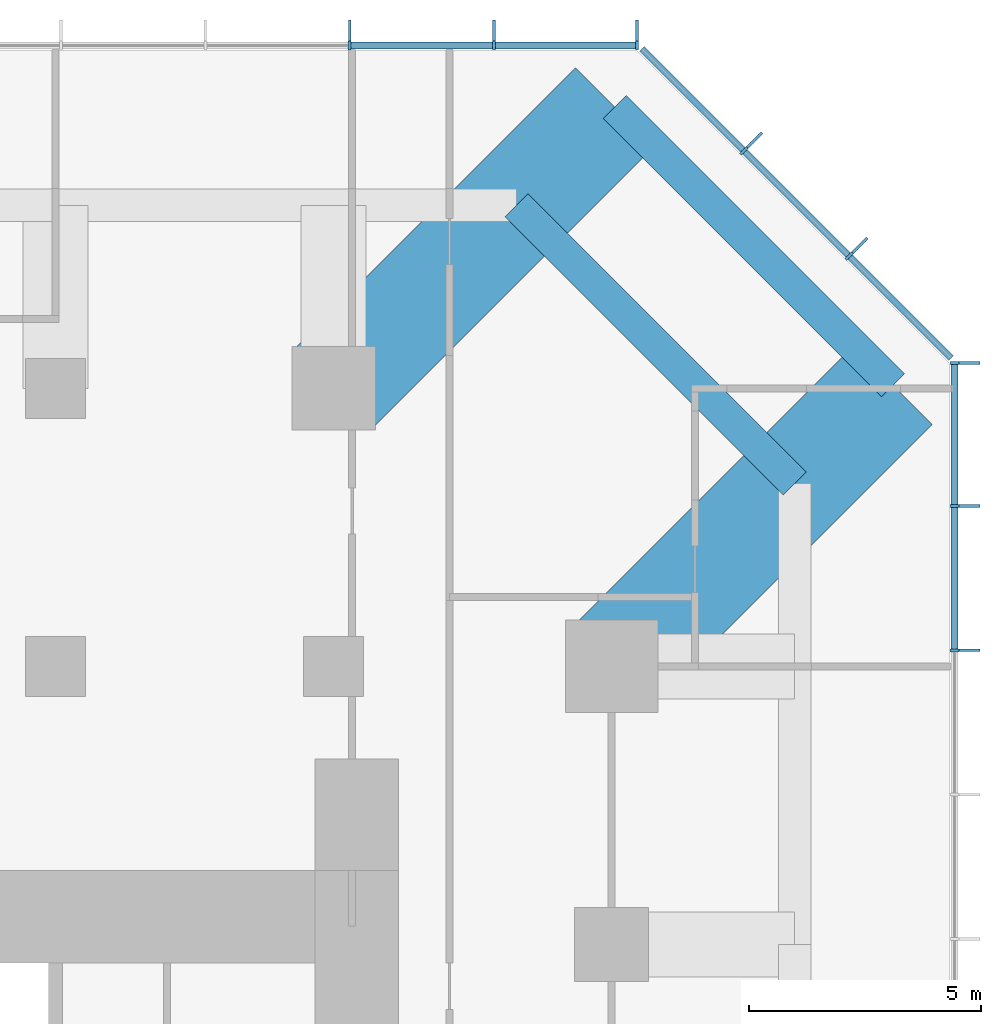
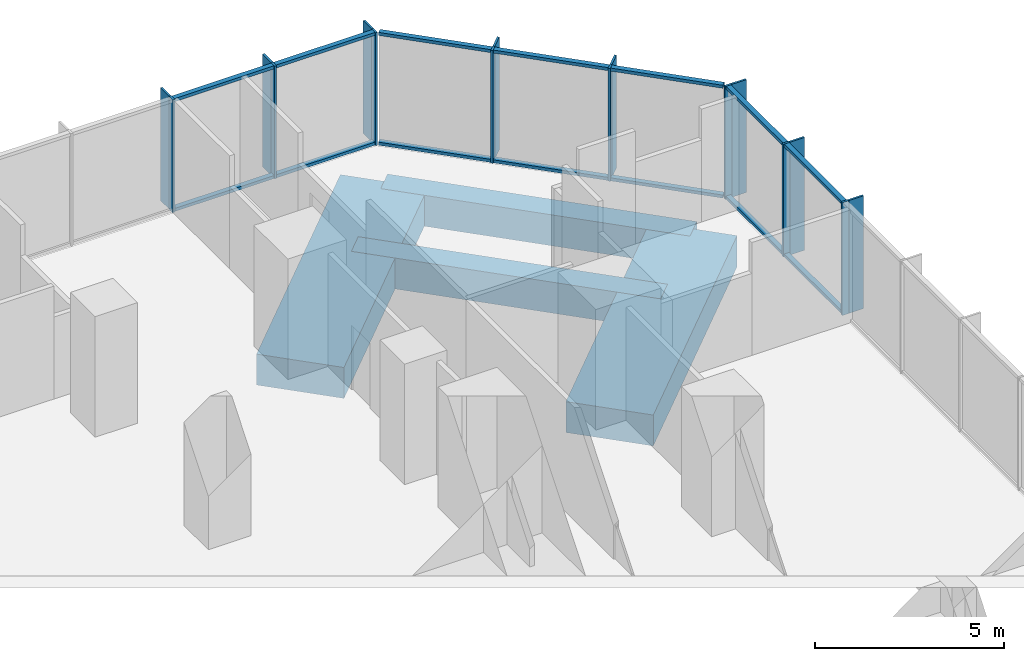
# One storey, part 6 of 11: 30 members, 4 beams, 3 elements without a shape of their own.
"""IFC4 building model written with IfcOpenShell, lengths in metres."""

from ifc_helpers import new_model, si_unit, direction, frame, origin, origin_2d, place, context, subcontext, project, spatial, rectangle, extrude, material, layer, layer_set, material_profile, profile_set, type_object, element, aggregate, save


model = new_model("IFC4")

# Units and contexts
model_context = context("Model", 3, precision=1e-05, world=origin(), true_north=direction((0.0, 1.0)))
body_context = subcontext(model_context, "Body", "Model", "MODEL_VIEW")
ifc_project = project(units=[si_unit("LENGTHUNIT", "METRE"), si_unit("AREAUNIT", "SQUARE_METRE"), si_unit("VOLUMEUNIT", "CUBIC_METRE"), si_unit("PLANEANGLEUNIT", "RADIAN"), si_unit("MASSUNIT", "GRAM", prefix="KILO")], contexts=[model_context])

# Site, building, storey
site_placement = place(None, origin())
site = spatial("IfcSite", under=ifc_project, at=site_placement, CompositionType="ELEMENT")
building_placement = place(site_placement, origin())
building = spatial("IfcBuilding", under=site, at=building_placement, Name="Highveld Stack Headquarters", CompositionType="ELEMENT")
storey_placement = place(building_placement, frame((0.0, 0.0, 185.0)))
storey = spatial("IfcBuildingStorey", under=building, at=storey_placement, Name="L45", CompositionType="ELEMENT", Elevation=185.0)

# Beams
ifc_material_1 = material(Name="Concrete C60/75", Category="concrete")
ifc_material_profile_1 = material_profile(ifc_material_1, rectangle(XDim=2.39990234375, YDim=1.0, at=origin_2d()), Name="RC 2400x1000")
ifc_profile_set_1 = profile_set([ifc_material_profile_1], Name="Concrete C60/75")
beam_type_1 = type_object("IfcBeamType", Name="CANTILEVER RIB RC 2400x1000", PredefinedType="USERDEFINED", material=ifc_profile_set_1)
for number, where, z_axis, x_axis, name in (
    (1, (18.0, 24.0, -0.75), (0.707106781187, 0.707106781187, 0.0), (-0.707106781187, 0.707106781187, 0.0), "Cantilever rib 9/J L45"),
    (2, (24.0, 18.0, -0.75), (0.707106781187, 0.707106781187, 0.0), (-0.707106781187, 0.707106781187, 0.0), "Cantilever rib 10/H L45"),
):
    element("IfcBeam", number, at=place(storey_placement, frame(where, z_axis=z_axis, x_axis=x_axis)), inside=storey, type_object=beam_type_1, Name=name, ObjectType="CANTILEVER RIB", PredefinedType="USERDEFINED", context=body_context, shape_type="SweptSolid", body=[
        extrude(rectangle(XDim=2.39990234375, YDim=1.0, at=origin_2d()), origin(), (0.0, 0.0, 1.0), 8.585693359375),
    ])

# Curtain wall, members
ifc_material_2 = material(Name="Aluminium bronze anodised", Category="aluminium")
ifc_layer_1 = layer(ifc_material_2, 0.199951171875)
ifc_layer_set_1 = layer_set([ifc_layer_1], Name="Aluminium bronze anodised")
curtain_wall_type_1 = type_object("IfcCurtainWallType", Name="CW1 TOWER UNITISED CURTAIN WALL", PredefinedType="NOTDEFINED", material=ifc_layer_set_1)
curtain_wall_1_placement = place(storey_placement, origin())
curtain_wall_1 = element("IfcCurtainWall", 3, at=curtain_wall_1_placement, inside=storey, type_object=curtain_wall_type_1, Name="Curtain wall CW1 L45 E", PredefinedType="NOTDEFINED")
ifc_material_3 = material(Name="Aluminium bronze anodised", Category="aluminium")
ifc_material_profile_2 = material_profile(ifc_material_3, rectangle(XDim=0.449951171875, YDim=0.06005859375, at=origin_2d()), Name="FIN 450x60")
ifc_profile_set_2 = profile_set([ifc_material_profile_2], Name="Aluminium bronze anodised")
member_type_1 = type_object("IfcMemberType", Name="CW1 BRONZE FIN 450x60", PredefinedType="USERDEFINED", material=ifc_profile_set_2)
member_1_placement = place(storey_placement, frame((31.72509765625, 18.347900390625, 0.0), z_axis=(0.0, 0.0, 1.0), x_axis=(-1.0, 0.0, 0.0)))
member_1 = element("IfcMember", 4, at=member_1_placement, type_object=member_type_1, Name="CW1 fin L45 9", ObjectType="FIN", PredefinedType="USERDEFINED", context=body_context, shape_type="SweptSolid", body=[
    extrude(rectangle(XDim=0.449951171875, YDim=0.06005859375, at=origin_2d()), origin(), (0.0, 0.0, 1.0), 3.64990234375),
])
member_2_placement = place(storey_placement, frame((31.72509765625, 21.4638671875, 0.0), z_axis=(0.0, 0.0, 1.0), x_axis=(-1.0, 0.0, 0.0)))
member_2 = element("IfcMember", 5, at=member_2_placement, type_object=member_type_1, Name="CW1 fin L45 10", ObjectType="FIN", PredefinedType="USERDEFINED", context=body_context, shape_type="SweptSolid", body=[
    extrude(rectangle(XDim=0.449951171875, YDim=0.06005859375, at=origin_2d()), origin(), (0.0, 0.0, 1.0), 3.64990234375),
])
member_3_placement = place(storey_placement, frame((31.72509765625, 24.54736328125, 0.0), z_axis=(0.0, 0.0, 1.0), x_axis=(-1.0, 0.0, 0.0)))
member_3 = element("IfcMember", 6, at=member_3_placement, type_object=member_type_1, Name="CW1 fin L45 11", ObjectType="FIN", PredefinedType="USERDEFINED", context=body_context, shape_type="SweptSolid", body=[
    extrude(rectangle(XDim=0.449951171875, YDim=0.06005859375, at=origin_2d()), origin(), (0.0, 0.0, 1.0), 3.64990234375),
])

curtain_wall_2_placement = place(storey_placement, origin())
curtain_wall_2 = element("IfcCurtainWall", 7, at=curtain_wall_2_placement, inside=storey, type_object=curtain_wall_type_1, Name="Curtain wall CW1 L45 N", PredefinedType="NOTDEFINED")
member_4_placement = place(storey_placement, frame((24.54736328125, 31.72509765625, 0.0), z_axis=(0.0, 0.0, 1.0), x_axis=(0.0, -1.0, 0.0)))
member_4 = element("IfcMember", 8, at=member_4_placement, type_object=member_type_1, Name="CW1 fin L45 1", ObjectType="FIN", PredefinedType="USERDEFINED", context=body_context, shape_type="SweptSolid", body=[
    extrude(rectangle(XDim=0.449951171875, YDim=0.06005859375, at=origin_2d()), origin(), (0.0, 0.0, 1.0), 3.64990234375),
])
member_5_placement = place(storey_placement, frame((21.4638671875, 31.72509765625, 0.0), z_axis=(0.0, 0.0, 1.0), x_axis=(0.0, -1.0, 0.0)))
member_5 = element("IfcMember", 9, at=member_5_placement, type_object=member_type_1, Name="CW1 fin L45 2", ObjectType="FIN", PredefinedType="USERDEFINED", context=body_context, shape_type="SweptSolid", body=[
    extrude(rectangle(XDim=0.449951171875, YDim=0.06005859375, at=origin_2d()), origin(), (0.0, 0.0, 1.0), 3.64990234375),
])
member_6_placement = place(storey_placement, frame((18.347900390625, 31.72509765625, 0.0), z_axis=(0.0, 0.0, 1.0), x_axis=(0.0, -1.0, 0.0)))
member_6 = element("IfcMember", 10, at=member_6_placement, type_object=member_type_1, Name="CW1 fin L45 3", ObjectType="FIN", PredefinedType="USERDEFINED", context=body_context, shape_type="SweptSolid", body=[
    extrude(rectangle(XDim=0.449951171875, YDim=0.06005859375, at=origin_2d()), origin(), (0.0, 0.0, 1.0), 3.64990234375),
])

# Member
ifc_material_4 = material(Name="Aluminium bronze anodised", Category="aluminium")
ifc_material_profile_3 = material_profile(ifc_material_4, rectangle(XDim=0.199951171875, YDim=0.06494140625, at=origin_2d()), Name="CW1 MULLION 65x200")
ifc_profile_set_3 = profile_set([ifc_material_profile_3], Name="Aluminium bronze anodised")
member_type_2 = type_object("IfcMemberType", Name="CW1 MULLION 65x200", PredefinedType="MULLION", material=ifc_profile_set_3)
member_7_placement = place(storey_placement, frame((31.39990234375, 18.347900390625, 0.0), z_axis=(0.0, 0.0, 1.0), x_axis=(-1.0, 0.0, 0.0)))
member_7 = element("IfcMember", 11, at=member_7_placement, type_object=member_type_2, Name="CW1 mullion L45 9", PredefinedType="MULLION", context=body_context, shape_type="SweptSolid", body=[
    extrude(rectangle(XDim=0.199951171875, YDim=0.06494140625, at=origin_2d()), origin(), (0.0, 0.0, 1.0), 3.64990234375),
])

member_8_placement = place(storey_placement, frame((31.39990234375, 21.4638671875, 0.0), z_axis=(0.0, 0.0, 1.0), x_axis=(-1.0, 0.0, 0.0)))
member_8 = element("IfcMember", 12, at=member_8_placement, type_object=member_type_2, Name="CW1 mullion L45 10", PredefinedType="MULLION", context=body_context, shape_type="SweptSolid", body=[
    extrude(rectangle(XDim=0.199951171875, YDim=0.06494140625, at=origin_2d()), origin(), (0.0, 0.0, 1.0), 3.64990234375),
])

member_9_placement = place(storey_placement, frame((31.39990234375, 24.54736328125, 0.0), z_axis=(0.0, 0.0, 1.0), x_axis=(-1.0, 0.0, 0.0)))
member_9 = element("IfcMember", 13, at=member_9_placement, type_object=member_type_2, Name="CW1 mullion L45 11", PredefinedType="MULLION", context=body_context, shape_type="SweptSolid", body=[
    extrude(rectangle(XDim=0.199951171875, YDim=0.06494140625, at=origin_2d()), origin(), (0.0, 0.0, 1.0), 3.64990234375),
])

member_10_placement = place(storey_placement, frame((24.54736328125, 31.39990234375, 0.0), z_axis=(0.0, 0.0, 1.0), x_axis=(0.0, -1.0, 0.0)))
member_10 = element("IfcMember", 14, at=member_10_placement, type_object=member_type_2, Name="CW1 mullion L45 1", PredefinedType="MULLION", context=body_context, shape_type="SweptSolid", body=[
    extrude(rectangle(XDim=0.199951171875, YDim=0.06494140625, at=origin_2d()), origin(), (0.0, 0.0, 1.0), 3.64990234375),
])

member_11_placement = place(storey_placement, frame((21.4638671875, 31.39990234375, 0.0), z_axis=(0.0, 0.0, 1.0), x_axis=(0.0, -1.0, 0.0)))
member_11 = element("IfcMember", 15, at=member_11_placement, type_object=member_type_2, Name="CW1 mullion L45 2", PredefinedType="MULLION", context=body_context, shape_type="SweptSolid", body=[
    extrude(rectangle(XDim=0.199951171875, YDim=0.06494140625, at=origin_2d()), origin(), (0.0, 0.0, 1.0), 3.64990234375),
])

member_12_placement = place(storey_placement, frame((18.347900390625, 31.39990234375, 0.0), z_axis=(0.0, 0.0, 1.0), x_axis=(0.0, -1.0, 0.0)))
member_12 = element("IfcMember", 16, at=member_12_placement, type_object=member_type_2, Name="CW1 mullion L45 3", PredefinedType="MULLION", context=body_context, shape_type="SweptSolid", body=[
    extrude(rectangle(XDim=0.199951171875, YDim=0.06494140625, at=origin_2d()), origin(), (0.0, 0.0, 1.0), 3.64990234375),
])

ifc_material_5 = material(Name="Aluminium bronze anodised", Category="aluminium")
ifc_material_profile_4 = material_profile(ifc_material_5, rectangle(XDim=0.14990234375, YDim=0.10009765625, at=origin_2d()), Name="CW1 TRANSOM 150x100")
ifc_profile_set_4 = profile_set([ifc_material_profile_4], Name="Aluminium bronze anodised")
member_type_3 = type_object("IfcMemberType", Name="CW1 STACK TRANSOM 150x100", PredefinedType="USERDEFINED", material=ifc_profile_set_4)
member_13_placement = place(storey_placement, frame((31.39990234375, 18.38037109375, 0.050048828125), z_axis=(0.0, 1.0, 0.0), x_axis=(-1.0, 0.0, 0.0)))
member_13 = element("IfcMember", 17, at=member_13_placement, type_object=member_type_3, Name="CW1 transom L45 9.1", ObjectType="TRANSOM", PredefinedType="USERDEFINED", context=body_context, shape_type="SweptSolid", body=[
    extrude(rectangle(XDim=0.14990234375, YDim=0.10009765625, at=origin_2d()), origin(), (0.0, 0.0, 1.0), 3.051025390625),
])

member_14_placement = place(storey_placement, frame((31.39990234375, 18.38037109375, 3.60009765625), z_axis=(0.0, 1.0, 0.0), x_axis=(-1.0, 0.0, 0.0)))
member_14 = element("IfcMember", 18, at=member_14_placement, type_object=member_type_3, Name="CW1 transom L45 9.2", ObjectType="TRANSOM", PredefinedType="USERDEFINED", context=body_context, shape_type="SweptSolid", body=[
    extrude(rectangle(XDim=0.14990234375, YDim=0.10009765625, at=origin_2d()), origin(), (0.0, 0.0, 1.0), 3.051025390625),
])

member_15_placement = place(storey_placement, frame((31.39990234375, 21.496337890625, 0.050048828125), z_axis=(0.0, 1.0, 0.0), x_axis=(-1.0, 0.0, 0.0)))
member_15 = element("IfcMember", 19, at=member_15_placement, type_object=member_type_3, Name="CW1 transom L45 10.1", ObjectType="TRANSOM", PredefinedType="USERDEFINED", context=body_context, shape_type="SweptSolid", body=[
    extrude(rectangle(XDim=0.14990234375, YDim=0.10009765625, at=origin_2d()), origin(), (0.0, 0.0, 1.0), 3.0185546875),
])

member_16_placement = place(storey_placement, frame((31.39990234375, 21.496337890625, 3.60009765625), z_axis=(0.0, 1.0, 0.0), x_axis=(-1.0, 0.0, 0.0)))
member_16 = element("IfcMember", 20, at=member_16_placement, type_object=member_type_3, Name="CW1 transom L45 10.2", ObjectType="TRANSOM", PredefinedType="USERDEFINED", context=body_context, shape_type="SweptSolid", body=[
    extrude(rectangle(XDim=0.14990234375, YDim=0.10009765625, at=origin_2d()), origin(), (0.0, 0.0, 1.0), 3.0185546875),
])

aggregate(curtain_wall_1, [member_7, member_1, member_8, member_2, member_9, member_3, member_13, member_14, member_15, member_16])

member_17_placement = place(storey_placement, frame((24.514892578125, 31.39990234375, 0.050048828125), z_axis=(-1.0, 0.0, 0.0), x_axis=(0.0, -1.0, 0.0)))
member_17 = element("IfcMember", 21, at=member_17_placement, type_object=member_type_3, Name="CW1 transom L45 1.1", ObjectType="TRANSOM", PredefinedType="USERDEFINED", context=body_context, shape_type="SweptSolid", body=[
    extrude(rectangle(XDim=0.14990234375, YDim=0.10009765625, at=origin_2d()), origin(), (0.0, 0.0, 1.0), 3.0185546875),
])

member_18_placement = place(storey_placement, frame((24.514892578125, 31.39990234375, 3.60009765625), z_axis=(-1.0, 0.0, 0.0), x_axis=(0.0, -1.0, 0.0)))
member_18 = element("IfcMember", 22, at=member_18_placement, type_object=member_type_3, Name="CW1 transom L45 1.2", ObjectType="TRANSOM", PredefinedType="USERDEFINED", context=body_context, shape_type="SweptSolid", body=[
    extrude(rectangle(XDim=0.14990234375, YDim=0.10009765625, at=origin_2d()), origin(), (0.0, 0.0, 1.0), 3.0185546875),
])

member_19_placement = place(storey_placement, frame((21.431396484375, 31.39990234375, 0.050048828125), z_axis=(-1.0, 0.0, 0.0), x_axis=(0.0, -1.0, 0.0)))
member_19 = element("IfcMember", 23, at=member_19_placement, type_object=member_type_3, Name="CW1 transom L45 2.1", ObjectType="TRANSOM", PredefinedType="USERDEFINED", context=body_context, shape_type="SweptSolid", body=[
    extrude(rectangle(XDim=0.14990234375, YDim=0.10009765625, at=origin_2d()), origin(), (0.0, 0.0, 1.0), 3.051025390625),
])

member_20_placement = place(storey_placement, frame((21.431396484375, 31.39990234375, 3.60009765625), z_axis=(-1.0, 0.0, 0.0), x_axis=(0.0, -1.0, 0.0)))
member_20 = element("IfcMember", 24, at=member_20_placement, type_object=member_type_3, Name="CW1 transom L45 2.2", ObjectType="TRANSOM", PredefinedType="USERDEFINED", context=body_context, shape_type="SweptSolid", body=[
    extrude(rectangle(XDim=0.14990234375, YDim=0.10009765625, at=origin_2d()), origin(), (0.0, 0.0, 1.0), 3.051025390625),
])

aggregate(curtain_wall_2, [member_10, member_4, member_11, member_5, member_12, member_6, member_17, member_18, member_19, member_20])

# Curtain wall, members
ifc_material_6 = material(Name="Aluminium bronze anodised", Category="aluminium")
ifc_layer_2 = layer(ifc_material_6, 0.199951171875)
ifc_layer_set_2 = layer_set([ifc_layer_2], Name="Aluminium bronze anodised")
curtain_wall_type_2 = type_object("IfcCurtainWallType", Name="CW2 TOWER CHAMFER UNITISED CURTAIN WALL", PredefinedType="NOTDEFINED", material=ifc_layer_set_2)
curtain_wall_3_placement = place(storey_placement, origin())
curtain_wall_3 = element("IfcCurtainWall", 25, at=curtain_wall_3_placement, inside=storey, type_object=curtain_wall_type_2, Name="Curtain wall CW2 L45 NE", PredefinedType="NOTDEFINED")
ifc_material_7 = material(Name="Aluminium bronze anodised", Category="aluminium")
ifc_material_profile_5 = material_profile(ifc_material_7, rectangle(XDim=0.449951171875, YDim=0.06005859375, at=origin_2d()), Name="FIN 450x60")
ifc_profile_set_5 = profile_set([ifc_material_profile_5], Name="Aluminium bronze anodised")
member_type_4 = type_object("IfcMemberType", Name="CW2 BRONZE FIN 450x60", PredefinedType="USERDEFINED", material=ifc_profile_set_5)
member_21_placement = place(storey_placement, frame((29.3564453125, 27.0830078125, 0.0), z_axis=(0.0, 0.0, 1.0), x_axis=(-0.707106781187, -0.707106781187, 0.0)))
member_21 = element("IfcMember", 26, at=member_21_placement, type_object=member_type_4, Name="CW2 fin L45 1", ObjectType="FIN", PredefinedType="USERDEFINED", context=body_context, shape_type="SweptSolid", body=[
    extrude(rectangle(XDim=0.449951171875, YDim=0.06005859375, at=origin_2d()), origin(), (0.0, 0.0, 1.0), 3.64990234375),
])
member_22_placement = place(storey_placement, frame((27.0830078125, 29.3564453125, 0.0), z_axis=(0.0, 0.0, 1.0), x_axis=(-0.707106781187, -0.707106781187, 0.0)))
member_22 = element("IfcMember", 27, at=member_22_placement, type_object=member_type_4, Name="CW2 fin L45 2", ObjectType="FIN", PredefinedType="USERDEFINED", context=body_context, shape_type="SweptSolid", body=[
    extrude(rectangle(XDim=0.449951171875, YDim=0.06005859375, at=origin_2d()), origin(), (0.0, 0.0, 1.0), 3.64990234375),
])
ifc_material_8 = material(Name="Aluminium bronze anodised", Category="aluminium")
ifc_material_profile_6 = material_profile(ifc_material_8, rectangle(XDim=0.199951171875, YDim=0.06494140625, at=origin_2d()), Name="CW2 MULLION 65x200")
ifc_profile_set_6 = profile_set([ifc_material_profile_6], Name="Aluminium bronze anodised")
member_type_5 = type_object("IfcMemberType", Name="CW2 MULLION 65x200", PredefinedType="MULLION", material=ifc_profile_set_6)
member_23_placement = place(storey_placement, frame((29.126708984375, 26.853271484375, 0.0), z_axis=(0.0, 0.0, 1.0), x_axis=(-0.707106781187, -0.707106781187, 0.0)))
member_23 = element("IfcMember", 28, at=member_23_placement, type_object=member_type_5, Name="CW2 mullion L45 1", PredefinedType="MULLION", context=body_context, shape_type="SweptSolid", body=[
    extrude(rectangle(XDim=0.199951171875, YDim=0.06494140625, at=origin_2d()), origin(), (0.0, 0.0, 1.0), 3.64990234375),
])
member_24_placement = place(storey_placement, frame((26.853271484375, 29.126708984375, 0.0), z_axis=(0.0, 0.0, 1.0), x_axis=(-0.707106781187, -0.707106781187, 0.0)))
member_24 = element("IfcMember", 29, at=member_24_placement, type_object=member_type_5, Name="CW2 mullion L45 2", PredefinedType="MULLION", context=body_context, shape_type="SweptSolid", body=[
    extrude(rectangle(XDim=0.199951171875, YDim=0.06494140625, at=origin_2d()), origin(), (0.0, 0.0, 1.0), 3.64990234375),
])
ifc_material_9 = material(Name="Aluminium bronze anodised", Category="aluminium")
ifc_material_profile_7 = material_profile(ifc_material_9, rectangle(XDim=0.14990234375, YDim=0.10009765625, at=origin_2d()), Name="CW2 TRANSOM 150x100")
ifc_profile_set_7 = profile_set([ifc_material_profile_7], Name="Aluminium bronze anodised")
member_type_6 = type_object("IfcMemberType", Name="CW2 STACK TRANSOM 150x100", PredefinedType="USERDEFINED", material=ifc_profile_set_7)
member_25_placement = place(storey_placement, frame((31.329345703125, 24.650634765625, 0.050048828125), z_axis=(-0.707106781187, 0.707106781187, 0.0), x_axis=(-0.707106781187, -0.707106781187, 0.0)))
member_25 = element("IfcMember", 30, at=member_25_placement, type_object=member_type_6, Name="CW2 transom L45 1.1", ObjectType="TRANSOM", PredefinedType="USERDEFINED", context=body_context, shape_type="SweptSolid", body=[
    extrude(rectangle(XDim=0.14990234375, YDim=0.10009765625, at=origin_2d()), origin(), (0.0, 0.0, 1.0), 3.08251953125),
])
member_26_placement = place(storey_placement, frame((31.329345703125, 24.650634765625, 3.60009765625), z_axis=(-0.707106781187, 0.707106781187, 0.0), x_axis=(-0.707106781187, -0.707106781187, 0.0)))
member_26 = element("IfcMember", 31, at=member_26_placement, type_object=member_type_6, Name="CW2 transom L45 1.2", ObjectType="TRANSOM", PredefinedType="USERDEFINED", context=body_context, shape_type="SweptSolid", body=[
    extrude(rectangle(XDim=0.14990234375, YDim=0.10009765625, at=origin_2d()), origin(), (0.0, 0.0, 1.0), 3.08251953125),
])
member_27_placement = place(storey_placement, frame((29.103759765625, 26.876220703125, 0.050048828125), z_axis=(-0.707106781187, 0.707106781187, 0.0), x_axis=(-0.707106781187, -0.707106781187, 0.0)))
member_27 = element("IfcMember", 32, at=member_27_placement, type_object=member_type_6, Name="CW2 transom L45 2.1", ObjectType="TRANSOM", PredefinedType="USERDEFINED", context=body_context, shape_type="SweptSolid", body=[
    extrude(rectangle(XDim=0.14990234375, YDim=0.10009765625, at=origin_2d()), origin(), (0.0, 0.0, 1.0), 3.150146484375),
])
member_28_placement = place(storey_placement, frame((29.103759765625, 26.876220703125, 3.60009765625), z_axis=(-0.707106781187, 0.707106781187, 0.0), x_axis=(-0.707106781187, -0.707106781187, 0.0)))
member_28 = element("IfcMember", 33, at=member_28_placement, type_object=member_type_6, Name="CW2 transom L45 2.2", ObjectType="TRANSOM", PredefinedType="USERDEFINED", context=body_context, shape_type="SweptSolid", body=[
    extrude(rectangle(XDim=0.14990234375, YDim=0.10009765625, at=origin_2d()), origin(), (0.0, 0.0, 1.0), 3.150146484375),
])
member_29_placement = place(storey_placement, frame((26.830322265625, 29.149658203125, 0.050048828125), z_axis=(-0.707106781187, 0.707106781187, 0.0), x_axis=(-0.707106781187, -0.707106781187, 0.0)))
member_29 = element("IfcMember", 34, at=member_29_placement, type_object=member_type_6, Name="CW2 transom L45 3.1", ObjectType="TRANSOM", PredefinedType="USERDEFINED", context=body_context, shape_type="SweptSolid", body=[
    extrude(rectangle(XDim=0.14990234375, YDim=0.10009765625, at=origin_2d()), origin(), (0.0, 0.0, 1.0), 3.08251953125),
])
member_30_placement = place(storey_placement, frame((26.830322265625, 29.149658203125, 3.60009765625), z_axis=(-0.707106781187, 0.707106781187, 0.0), x_axis=(-0.707106781187, -0.707106781187, 0.0)))
member_30 = element("IfcMember", 35, at=member_30_placement, type_object=member_type_6, Name="CW2 transom L45 3.2", ObjectType="TRANSOM", PredefinedType="USERDEFINED", context=body_context, shape_type="SweptSolid", body=[
    extrude(rectangle(XDim=0.14990234375, YDim=0.10009765625, at=origin_2d()), origin(), (0.0, 0.0, 1.0), 3.08251953125),
])
aggregate(curtain_wall_3, [member_23, member_21, member_24, member_22, member_25, member_26, member_27, member_28, member_29, member_30])

# Beams
ifc_material_10 = material(Name="Concrete C60/75", Category="concrete")
ifc_material_profile_8 = material_profile(ifc_material_10, rectangle(XDim=0.699951171875, YDim=1.0, at=origin_2d()), Name="RC 700x1000")
ifc_profile_set_8 = profile_set([ifc_material_profile_8], Name="Concrete C60/75")
beam_type_2 = type_object("IfcBeamType", Name="RIB TIP BEAM RC 700x1000", PredefinedType="SPANDREL", material=ifc_profile_set_8)
for number, where, z_axis, x_axis, name in (
    (36, (21.949951171875, 27.949951171875, -0.75), (0.707106781187, -0.707106781187, 0.0), (0.707106781187, 0.707106781187, 0.0), "Rib tip beam 9/J to 10/H chamfer L45"),
    (37, (24.071044921875, 30.071044921875, -0.75), (0.707106781187, -0.707106781187, 0.0), (0.707106781187, 0.707106781187, 0.0), "Rib tip beam 9/J to 10/H chamfer edge L45"),
):
    element("IfcBeam", number, at=place(storey_placement, frame(where, z_axis=z_axis, x_axis=x_axis)), inside=storey, type_object=beam_type_2, Name=name, PredefinedType="SPANDREL", context=body_context, shape_type="SweptSolid", body=[
        extrude(rectangle(XDim=0.699951171875, YDim=1.0, at=origin_2d()), origin(), (0.0, 0.0, 1.0), 8.4853515625),
    ])

save(model, "model.ifc")
